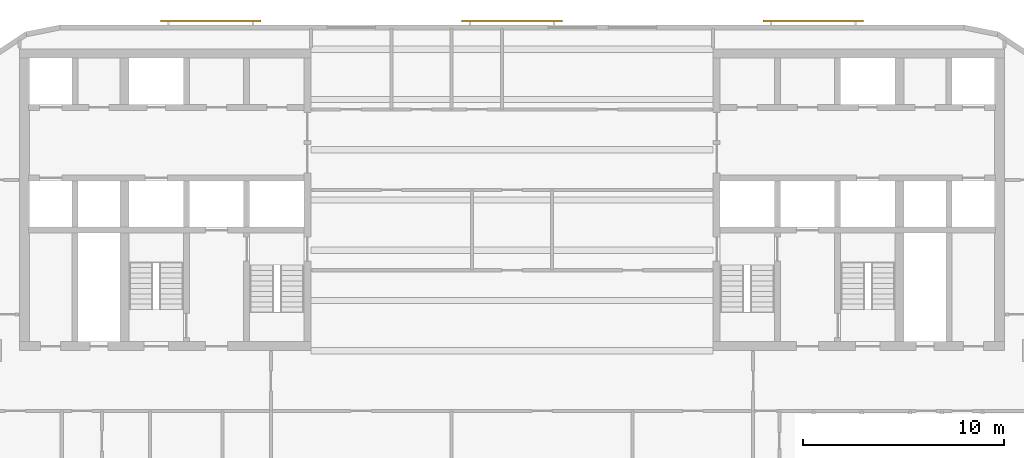
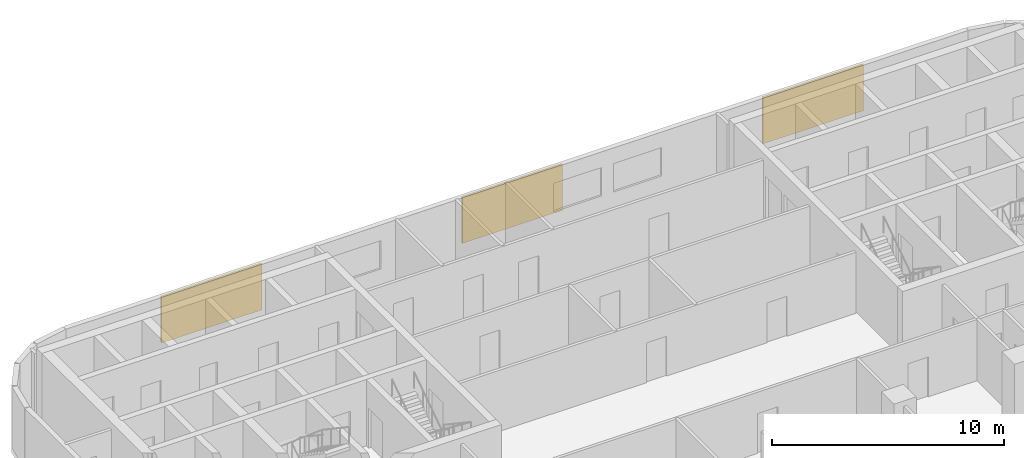
# One storey, part 10 of 11: 3 shading devices.
"""IFC4 building model written with IfcOpenShell, lengths in metres."""

from ifc_helpers import new_model, si_unit, direction, frame, origin, origin_2d, place, context, subcontext, project, spatial, rectangle, extrude, material, layer, layer_set, type_object, element, save


model = new_model("IFC4")

# Units and contexts
model_context = context("Model", 3, precision=1e-05, world=origin(), true_north=direction((0.0, 1.0)))
body_context = subcontext(model_context, "Body", "Model", "MODEL_VIEW")
ifc_project = project(units=[si_unit("LENGTHUNIT", "METRE"), si_unit("AREAUNIT", "SQUARE_METRE"), si_unit("VOLUMEUNIT", "CUBIC_METRE"), si_unit("PLANEANGLEUNIT", "RADIAN"), si_unit("MASSUNIT", "GRAM", prefix="KILO")], contexts=[model_context])

# Site, building, storey
site_placement = place(None, origin())
site = spatial("IfcSite", under=ifc_project, at=site_placement, CompositionType="ELEMENT")
building_placement = place(site_placement, origin())
building = spatial("IfcBuilding", under=site, at=building_placement, Name="Torana Hotel and Residences", CompositionType="ELEMENT")
storey_placement = place(building_placement, frame((0.0, 0.0, 232.60009765625)))
storey = spatial("IfcBuildingStorey", under=building, at=storey_placement, Name="L61", CompositionType="ELEMENT", Elevation=232.60009765625)

# Shading devices
ifc_material = material(Name="Concrete C40/50 precast", Category="concrete")
ifc_layer = layer(ifc_material, 0.10009765625)
ifc_layer_set = layer_set([ifc_layer], Name="SC1 PERFORATED BLOCK SCREEN PANEL 100")
shading_device_type = type_object("IfcShadingDeviceType", Name="SC1 PERFORATED BLOCK SCREEN PANEL 100", PredefinedType="USERDEFINED", material=ifc_layer_set)
for number, where, z_axis, x_axis, name in (
    (1, (14.983642578125, 1.39990234375, 0.5), (0.0, 0.0, 1.0), (-1.0, 0.0, 0.0), "Perforated block screen L61"),
    (2, (0.0, 1.39990234375, 0.5), (0.0, 0.0, 1.0), (-1.0, 0.0, 0.0), "Perforated block screen L61"),
    (3, (-14.983642578125, 1.39990234375, 0.5), (0.0, 0.0, 1.0), (-1.0, 0.0, 0.0), "Perforated block screen L61"),
):
    element("IfcShadingDevice", number, at=place(storey_placement, frame(where, z_axis=z_axis, x_axis=x_axis)), inside=storey, type_object=shading_device_type, Name=name, ObjectType="SCREEN", PredefinedType="USERDEFINED", context=body_context, shape_type="SweptSolid", body=[
        extrude(rectangle(XDim=5.0, YDim=0.10009765625, at=origin_2d()), origin(), (0.0, 0.0, 1.0), 2.419921875),
    ])

save(model, "model.ifc")
